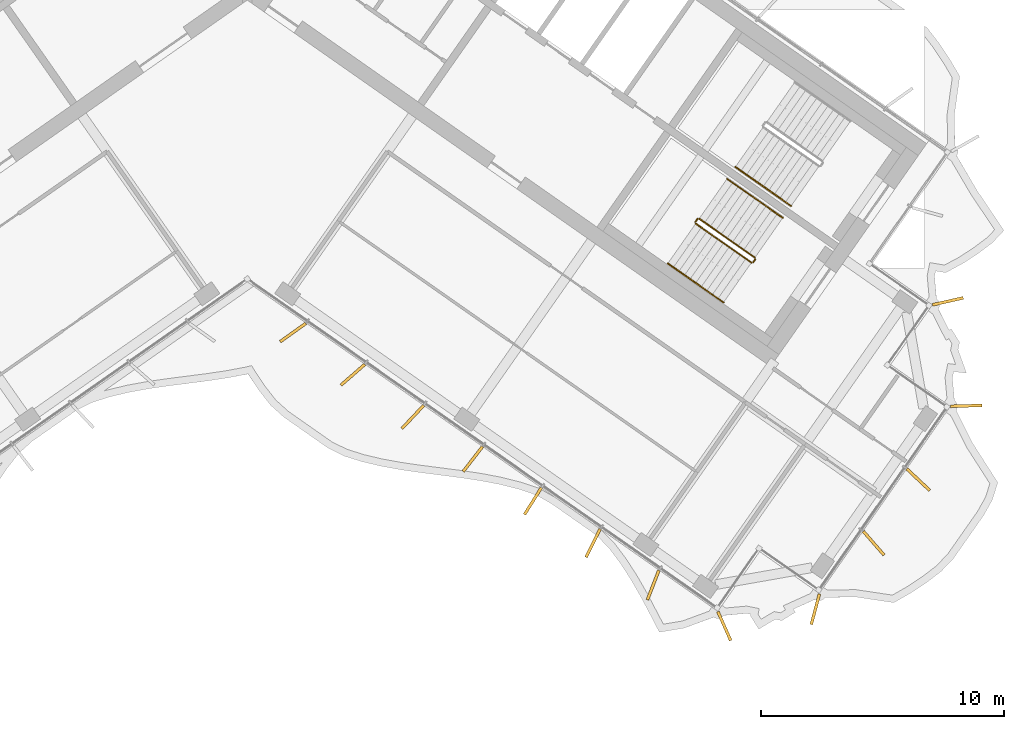
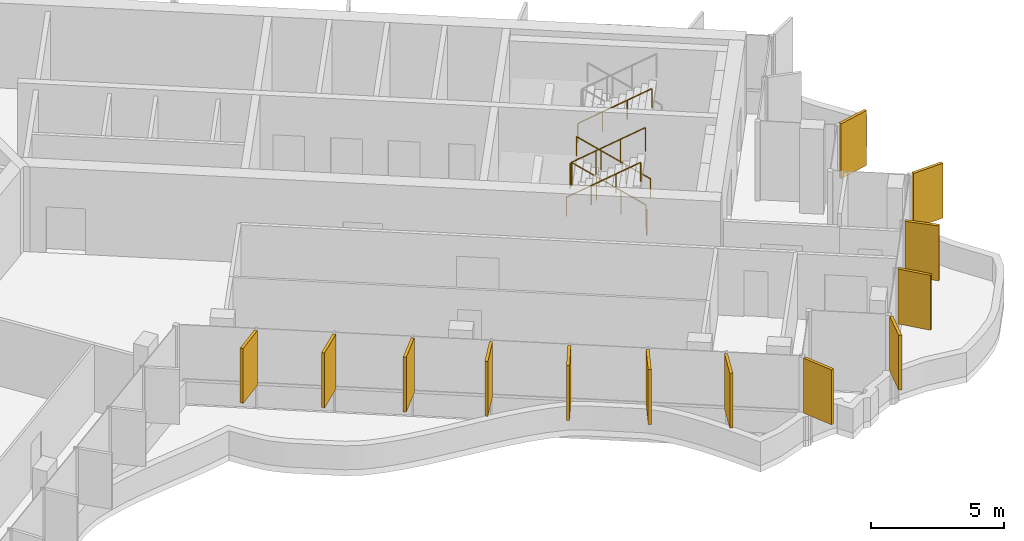
# One storey, part 15 of 17: 13 shading devices, 7 railings.
"""IFC4 building model written with IfcOpenShell, lengths in metres."""

import ifcopenshell
import ifcopenshell.guid

model = None  # the IFC model being written
_history = None  # IfcOwnerHistory: only IFC2X3 demands one
_inside = {}  # id of a spatial element -> (the spatial element, [elements in it])
_under = {}  # id of a project, library or spatial element -> (it, [spatial elements below it])
_declared = {}  # id of a project -> (the project, [libraries it declares])
_typed = {}  # id of a type object -> (the type object, [elements of that type])
_made_of = {}  # id of a material, layer set ... -> (it, [elements and type objects made of it])


def new_model(schema):
    """Start an empty IFC model of exactly this schema.

    Asked for "IFC4X3", IfcOpenShell would pick the latest addendum, in which some entities
    have other attributes; the version numbers below select the first issue.
    IFC2X3 requires an IfcOwnerHistory on every rooted entity: one is made here for all.
    """
    global model, _history
    if schema == "IFC4X3":
        model = ifcopenshell.file(schema_version=(4, 3, 0, 0))
    else:
        model = ifcopenshell.file(schema=schema)
    _inside.clear()
    _under.clear()
    _declared.clear()
    _typed.clear()
    _made_of.clear()
    _history = None
    if model.schema == "IFC2X3":
        org = make("IfcOrganization", Name="unknown")
        user = make(
            "IfcPersonAndOrganization",
            ThePerson=make("IfcPerson", FamilyName="unknown"),
            TheOrganization=org,
        )
        app = make(
            "IfcApplication",
            ApplicationDeveloper=org,
            Version="unknown",
            ApplicationFullName="unknown",
            ApplicationIdentifier="unknown",
        )
        _history = make(
            "IfcOwnerHistory",
            OwningUser=user,
            OwningApplication=app,
            ChangeAction="ADDED",
            CreationDate=0,
        )
    return model


def make(cls, **values):
    """One entity of the class cls with the attributes given. An attribute that is None is left unset."""
    return model.create_entity(
        cls, **{name: value for name, value in values.items() if value is not None}
    )


def rooted(cls, **values):
    """An entity with a GlobalId (a new one), such as an element, a storey or a relation."""
    return make(cls, GlobalId=ifcopenshell.guid.new(), OwnerHistory=_history, **values)


def si_unit(unit_type, name, prefix=None):
    """IfcSIUnit, for example si_unit("LENGTHUNIT", "METRE", prefix="MILLI")."""
    return make("IfcSIUnit", UnitType=unit_type, Prefix=prefix, Name=name)


def assignment(units):
    """IfcUnitAssignment: the units of a project."""
    return None if units is None else make("IfcUnitAssignment", Units=units)


def point(xyz):
    """IfcCartesianPoint."""
    return None if xyz is None else make("IfcCartesianPoint", Coordinates=xyz)


def direction(xyz):
    """IfcDirection."""
    return None if xyz is None else make("IfcDirection", DirectionRatios=xyz)


def frame(location, z_axis=None, x_axis=None):
    """IfcAxis2Placement3D, a coordinate frame: its origin and axes. An axis left out is left unset."""
    return make(
        "IfcAxis2Placement3D",
        Location=point(location),
        Axis=direction(z_axis),
        RefDirection=direction(x_axis),
    )


def frame_2d(location, x_axis=None):
    """IfcAxis2Placement2D, a coordinate frame in the plane: its origin and x axis."""
    return make(
        "IfcAxis2Placement2D", Location=point(location), RefDirection=direction(x_axis)
    )


def origin():
    """The frame at (0, 0, 0) with its axes left unset."""
    return frame((0.0, 0.0, 0.0))


def origin_2d():
    """The frame at (0, 0) in the plane with its x axis left unset."""
    return frame_2d((0.0, 0.0))


def place(relative_to, where):
    """IfcLocalPlacement: puts the frame where relative to a parent placement (None: the world)."""
    return make(
        "IfcLocalPlacement", PlacementRelTo=relative_to, RelativePlacement=where
    )


def context(
    kind, dimensions, precision=None, world=None, true_north=None, identifier=None
):
    """IfcGeometricRepresentationContext, for example the 3D "Model" context."""
    return make(
        "IfcGeometricRepresentationContext",
        ContextIdentifier=identifier,
        ContextType=kind,
        CoordinateSpaceDimension=dimensions,
        Precision=precision,
        WorldCoordinateSystem=world,
        TrueNorth=true_north,
    )


def subcontext(parent, identifier, kind, view, scale=None):
    """IfcGeometricRepresentationSubContext, for example "Body" below "Model"."""
    return make(
        "IfcGeometricRepresentationSubContext",
        ContextIdentifier=identifier,
        ContextType=kind,
        ParentContext=parent,
        TargetScale=scale,
        TargetView=view,
    )


def project(units=None, contexts=None):
    """IfcProject with its units and contexts."""
    return rooted(
        "IfcProject",
        Name="project",
        RepresentationContexts=contexts,
        UnitsInContext=assignment(units),
    )


def spatial(cls, under=None, at=None, **own):
    """A site, building, storey or space (cls), placed at a placement, below another one or the project."""
    s = rooted(cls, ObjectPlacement=at, **own)
    if under is not None:
        _under.setdefault(under.id(), (under, []))[1].append(s)
    return s


def profile(cls, at=None, kind="AREA", **sizes):
    """A parametric profile (cls). Its sizes go by their IFC names, for example OverallWidth=200.0."""
    return make(cls, ProfileType=kind, Position=at, **sizes)


def rectangle(**sizes):
    """IfcRectangleProfileDef."""
    return profile("IfcRectangleProfileDef", **sizes)


def circle(**sizes):
    """IfcCircleProfileDef."""
    return profile("IfcCircleProfileDef", **sizes)


def extrude(swept, where, along, depth):
    """IfcExtrudedAreaSolid: the profile swept, set in the frame where, extruded along a direction by depth."""
    return make(
        "IfcExtrudedAreaSolid",
        SweptArea=swept,
        Position=where,
        ExtrudedDirection=direction(along),
        Depth=depth,
    )


def shape(context_of_items, identifier, shape_type, items):
    """IfcShapeRepresentation: the items that make up one representation, for example the "Body"."""
    return make(
        "IfcShapeRepresentation",
        ContextOfItems=context_of_items,
        RepresentationIdentifier=identifier,
        RepresentationType=shape_type,
        Items=items,
    )


def material(Name=None, Category=None):
    """IfcMaterial."""
    return make("IfcMaterial", Name=Name, Category=Category)


def layer(
    of_material, thickness, ventilated=None, Name=None, Category=None, Priority=None
):
    """IfcMaterialLayer: one layer of a wall or slab, of a material (None: an air gap)."""
    return make(
        "IfcMaterialLayer",
        Material=of_material,
        LayerThickness=thickness,
        IsVentilated=ventilated,
        Name=Name,
        Category=Category,
        Priority=Priority,
    )


def layer_set(layers, Name=None):
    """IfcMaterialLayerSet."""
    return make("IfcMaterialLayerSet", MaterialLayers=layers, LayerSetName=Name)


def made_of(thing, what):
    """Note that an element or type object is made of a material, layer set ...; save() writes the relation."""
    if what is not None:
        _made_of.setdefault(what.id(), (what, []))[1].append(thing)
    return thing


def type_object(cls, material=None, **own):
    """A type object (cls), such as IfcWallType, which elements share."""
    return made_of(rooted(cls, **own), material)


def element(
    cls,
    number,
    at=None,
    inside=None,
    cuts=None,
    type_object=None,
    material=None,
    context=None,
    identifier="Body",
    shape_type=None,
    held_by="IfcProductDefinitionShape",
    body=None,
    shapes=None,
    **own,
):
    """One element of the class cls, such as IfcWall. Its Tag is "e" and its number.

    at: its placement. inside: the storey or other place that contains it. cuts: it is an
    opening in that element (IfcRelVoidsElement). A single representation is given by context,
    identifier, shape_type and body (its items); several are given by shapes. held_by: the class
    of the entity that holds the representations. save() writes the other relations.
    """
    e = rooted(cls, Tag="e%d" % number, ObjectPlacement=at, **own)
    if body is not None:
        shapes = [shape(context, identifier, shape_type, body)]
    if shapes is not None:
        e.Representation = make(held_by, Representations=shapes)
    if inside is not None:
        _inside.setdefault(inside.id(), (inside, []))[1].append(e)
    if cuts is not None:
        rooted(
            "IfcRelVoidsElement", RelatingBuildingElement=cuts, RelatedOpeningElement=e
        )
    if type_object is not None:
        _typed.setdefault(type_object.id(), (type_object, []))[1].append(e)
    return made_of(e, material)


def aggregate(whole, parts):
    """IfcRelAggregates: a whole, such as a stair, and the parts it consists of."""
    return rooted("IfcRelAggregates", RelatingObject=whole, RelatedObjects=parts)


def save(model, path):
    """Write the relations noted so far, then the file.

    IfcRelAggregates (storeys below a building ...), IfcRelContainedInSpatialStructure (elements
    in a storey), IfcRelDefinesByType, IfcRelAssociatesMaterial and IfcRelDeclares: one each for
    every whole, place, type object, material and project.
    """
    for whole, parts in _under.values():
        aggregate(whole, parts)
    for where, things in _inside.values():
        rooted(
            "IfcRelContainedInSpatialStructure",
            RelatedElements=things,
            RelatingStructure=where,
        )
    for kind, things in _typed.values():
        rooted("IfcRelDefinesByType", RelatedObjects=things, RelatingType=kind)
    for what, things in _made_of.values():
        rooted("IfcRelAssociatesMaterial", RelatedObjects=things, RelatingMaterial=what)
    for by, libraries in _declared.values():
        rooted("IfcRelDeclares", RelatingContext=by, RelatedDefinitions=libraries)
    model.write(path)


model = new_model("IFC4")

# Units and contexts
model_context = context("Model", 3, precision=1e-05, world=origin(), true_north=direction((0.0, 1.0)))
body_context = subcontext(model_context, "Body", "Model", "MODEL_VIEW")
ifc_project = project(units=[si_unit("LENGTHUNIT", "METRE"), si_unit("AREAUNIT", "SQUARE_METRE"), si_unit("VOLUMEUNIT", "CUBIC_METRE"), si_unit("PLANEANGLEUNIT", "RADIAN"), si_unit("MASSUNIT", "GRAM", prefix="KILO")], contexts=[model_context])

# Site, building, storey
site_placement = place(None, origin())
site = spatial("IfcSite", under=ifc_project, at=site_placement, CompositionType="ELEMENT")
building_placement = place(site_placement, origin())
building = spatial("IfcBuilding", under=site, at=building_placement, Name="Tel Ilan Convention Tower", CompositionType="ELEMENT")
storey_placement = place(building_placement, frame((0.0, 0.0, 287.800048828125)))
storey = spatial("IfcBuildingStorey", under=building, at=storey_placement, Name="L68", CompositionType="ELEMENT", Elevation=287.800048828125)

# Shading devices
ifc_material_1 = material(Name="Aluminium, bronze anodised", Category="aluminium")
ifc_layer = layer(ifc_material_1, 0.1201171875)
ifc_layer_set = layer_set([ifc_layer], Name="FIN BRONZE 1300x120")
shading_device_type = type_object("IfcShadingDeviceType", Name="FIN BRONZE 1300x120", PredefinedType="USERDEFINED", material=ifc_layer_set)
for number, where, z_axis, x_axis, name in (
    (1, (1.88134765625, -14.907470703125, 1.099853515625), (0.0, 0.0, 1.0), (-0.813552070258, -0.581492071294, 0.0), "FIN"),
    (2, (4.344970703125, -16.64794921875, 1.099853515625), (0.0, 0.0, 1.0), (-0.753435896329, -0.657521368568, 0.0), "FIN"),
    (3, (6.8134765625, -18.384033203125, 1.099853515625), (0.0, 0.0, 1.0), (-0.686241637865, -0.727373641577, 0.0), "FIN"),
    (4, (9.285888671875, -20.11572265625, 1.099853515625), (0.0, 0.0, 1.0), (-0.612600545196, -0.790392669516, 0.0), "FIN"),
    (5, (11.759033203125, -21.847412109375, 1.099853515625), (0.0, 0.0, 1.0), (-0.533204432798, -0.845986425922, 0.0), "FIN"),
    (6, (14.23193359375, -23.57861328125, 1.099853515625), (0.0, 0.0, 1.0), (-0.448799180206, -0.893632640321, 0.0), "FIN"),
    (7, (16.707763671875, -25.30419921875, 1.099853515625), (0.0, 0.0, 1.0), (-0.360177724803, -0.932883704733, 0.0), "FIN"),
    (8, (19.63671875, -26.989990234375, 1.099853515625), (0.0, 0.0, 1.0), (0.404964282034, -0.914332505315, 0.0), "FIN"),
    (9, (23.385498046875, -26.297607421875, 1.099853515625), (0.0, 0.0, 1.0), (-0.258819045103, -0.965925826289, 0.0), "FIN"),
    (10, (25.785400390625, -23.576171875, 1.099853515625), (0.0, 0.0, 1.0), (0.657521368568, -0.753435896329, 0.0), "FIN"),
    (11, (27.623291015625, -20.962646484375, 1.099853515625), (0.0, 0.0, 1.0), (0.727373641577, -0.686241637865, 0.0), "FIN"),
    (12, (29.598876953125, -17.9248046875, 1.099853515625), (0.0, 0.0, 1.0), (0.999576950082, 0.029084718749, 0.0), "FIN"),
    (13, (28.840576171875, -13.622802734375, 1.099853515625), (0.0, 0.0, 1.0), (0.975235208752, 0.221170268371, 0.0), "FIN"),
):
    element("IfcShadingDevice", number, at=place(storey_placement, frame(where, z_axis=z_axis, x_axis=x_axis)), inside=storey, type_object=shading_device_type, Name=name, ObjectType="FIN", PredefinedType="USERDEFINED", context=body_context, shape_type="SweptSolid", body=[
        extrude(rectangle(XDim=1.300048828125, YDim=0.1201171875, at=origin_2d()), origin(), (0.0, 0.0, 1.0), 2.52001953125),
    ])

# Railings
ifc_material_2 = material(Name="Stainless Steel Grade 316", Category="steel")
railing_type_1 = type_object("IfcRailingType", Name="Stainless Steel Stair Guard 1100 mm", PredefinedType="GUARDRAIL", material=ifc_material_2)
railing_1_placement = place(storey_placement, frame((20.89697265625, -11.824462890625, 0.17724609375)))
element("IfcRailing", 14, at=railing_1_placement, inside=storey, type_object=railing_type_1, Name="L68 S4 stair guard 1", PredefinedType="GUARDRAIL", context=body_context, shape_type="SweptSolid", body=[
    extrude(circle(Radius=0.02392578125, at=origin_2d()), frame((0.0, 0.0, 1.076171875), z_axis=(-0.692123088272, 0.484596665743, 0.534912798717), x_axis=(-0.573550118428, -0.819170471667, 0.0)), (0.0, 0.0, 1.0), 3.31396484375),
    extrude(circle(Radius=0.02099609375, at=origin_2d()), origin(), (0.0, 0.0, 1.0), 1.052001953125),
    extrude(circle(Radius=0.02099609375, at=origin_2d()), frame((-0.7646484375, 0.535400390625, 0.5908203125)), (0.0, 0.0, 1.0), 1.052001953125),
    extrude(circle(Radius=0.02099609375, at=origin_2d()), frame((-1.529052734375, 1.070556640625, 1.181884765625)), (0.0, 0.0, 1.0), 1.052001953125),
    extrude(circle(Radius=0.02099609375, at=origin_2d()), frame((-2.293701171875, 1.60595703125, 1.772705078125)), (0.0, 0.0, 1.0), 1.052001953125),
])
railing_2_placement = place(storey_placement, frame((18.53369140625, -10.230712890625, 1.949951171875)))
element("IfcRailing", 15, at=railing_2_placement, inside=storey, type_object=railing_type_1, Name="L68 S4 stair guard 2", PredefinedType="GUARDRAIL", context=body_context, shape_type="SweptSolid", body=[
    extrude(circle(Radius=0.02392578125, at=origin_2d()), frame((0.0, 0.0, 1.076171875), z_axis=(-0.573353020881, -0.819308436089, 0.0), x_axis=(0.819308436089, -0.573353020881, 0.0)), (0.0, 0.0, 1.0), 0.14990234375),
    extrude(circle(Radius=0.02099609375, at=origin_2d()), origin(), (0.0, 0.0, 1.0), 1.052001953125),
    extrude(circle(Radius=0.02099609375, at=origin_2d()), frame((-0.0859375, -0.122802734375, 0.0)), (0.0, 0.0, 1.0), 1.052001953125),
])
railing_3_placement = place(storey_placement, frame((18.4599609375, -10.423095703125, 2.127197265625)))
element("IfcRailing", 16, at=railing_3_placement, inside=storey, type_object=railing_type_1, Name="L68 S4 stair guard 3", PredefinedType="GUARDRAIL", context=body_context, shape_type="SweptSolid", body=[
    extrude(circle(Radius=0.02392578125, at=origin_2d()), frame((0.0, 0.0, 1.076171875), z_axis=(0.692098378994, -0.484653031975, 0.534893701956), x_axis=(0.573608623498, 0.819129505664, 0.0)), (0.0, 0.0, 1.0), 3.314208984375),
    extrude(circle(Radius=0.02099609375, at=origin_2d()), origin(), (0.0, 0.0, 1.0), 1.052001953125),
    extrude(circle(Radius=0.02099609375, at=origin_2d()), frame((0.7646484375, -0.535400390625, 0.5908203125)), (0.0, 0.0, 1.0), 1.052001953125),
    extrude(circle(Radius=0.02099609375, at=origin_2d()), frame((1.529052734375, -1.07080078125, 1.181884765625)), (0.0, 0.0, 1.0), 1.052001953125),
    extrude(circle(Radius=0.02099609375, at=origin_2d()), frame((2.293701171875, -1.606201171875, 1.772705078125)), (0.0, 0.0, 1.0), 1.052001953125),
])
railing_4_placement = place(storey_placement, frame((20.9091796875, -11.89404296875, 0.0)))
element("IfcRailing", 17, at=railing_4_placement, inside=storey, type_object=railing_type_1, Name="L68 S4 stair guard 4", PredefinedType="GUARDRAIL", context=body_context, shape_type="SweptSolid", body=[
    extrude(circle(Radius=0.02392578125, at=origin_2d()), frame((0.0, 0.0, 1.076171875), z_axis=(-0.573353020881, -0.819308436089, 0.0), x_axis=(0.819308436089, -0.573353020881, 0.0)), (0.0, 0.0, 1.0), 0.14990234375),
    extrude(circle(Radius=0.02099609375, at=origin_2d()), origin(), (0.0, 0.0, 1.0), 1.052001953125),
    extrude(circle(Radius=0.02099609375, at=origin_2d()), frame((-0.0859375, -0.122802734375, 0.0)), (0.0, 0.0, 1.0), 1.052001953125),
])
ifc_material_3 = material(Name="Stainless Steel Grade 316", Category="steel")
railing_type_2 = type_object("IfcRailingType", Name="Stainless Steel Stair Handrail 900 mm", PredefinedType="HANDRAIL", material=ifc_material_3)
railing_5_placement = place(storey_placement, frame((20.0947265625, -8.088623046875, 2.127197265625)))
element("IfcRailing", 18, at=railing_5_placement, inside=storey, type_object=railing_type_2, Name="L68 S3 stair handrail 2", PredefinedType="HANDRAIL", context=body_context, shape_type="SweptSolid", body=[
    extrude(circle(Radius=0.02392578125, at=origin_2d()), frame((0.0, 0.0, 0.8759765625), z_axis=(0.692084706163, -0.484621375041, 0.534940073605), x_axis=(0.573591086599, 0.819141785879, 0.0)), (0.0, 0.0, 1.0), 3.313720703125),
    extrude(circle(Radius=0.02099609375, at=origin_2d()), origin(), (0.0, 0.0, 1.0), 0.851806640625),
    extrude(circle(Radius=0.02099609375, at=origin_2d()), frame((0.764404296875, -0.535400390625, 0.5908203125)), (0.0, 0.0, 1.0), 0.851806640625),
    extrude(circle(Radius=0.02099609375, at=origin_2d()), frame((1.529052734375, -1.070556640625, 1.181884765625)), (0.0, 0.0, 1.0), 0.851806640625),
    extrude(circle(Radius=0.02099609375, at=origin_2d()), frame((2.29345703125, -1.60595703125, 1.772705078125)), (0.0, 0.0, 1.0), 0.851806640625),
])
railing_6_placement = place(storey_placement, frame((22.044189453125, -10.18603515625, 0.17724609375)))
element("IfcRailing", 19, at=railing_6_placement, inside=storey, type_object=railing_type_2, Name="L68 S4 stair handrail 1", PredefinedType="HANDRAIL", context=body_context, shape_type="SweptSolid", body=[
    extrude(circle(Radius=0.02392578125, at=origin_2d()), frame((0.0, 0.0, 0.8759765625), z_axis=(-0.692123088272, 0.484596665743, 0.534912798717), x_axis=(-0.573550118428, -0.819170471667, 0.0)), (0.0, 0.0, 1.0), 3.31396484375),
    extrude(circle(Radius=0.02099609375, at=origin_2d()), origin(), (0.0, 0.0, 1.0), 0.851806640625),
    extrude(circle(Radius=0.02099609375, at=origin_2d()), frame((-0.7646484375, 0.535400390625, 0.5908203125)), (0.0, 0.0, 1.0), 0.851806640625),
    extrude(circle(Radius=0.02099609375, at=origin_2d()), frame((-1.529052734375, 1.070556640625, 1.181884765625)), (0.0, 0.0, 1.0), 0.851806640625),
    extrude(circle(Radius=0.02099609375, at=origin_2d()), frame((-2.293701171875, 1.60595703125, 1.772705078125)), (0.0, 0.0, 1.0), 0.851806640625),
])
railing_7_placement = place(storey_placement, frame((17.312744140625, -12.0615234375, 2.127197265625)))
element("IfcRailing", 20, at=railing_7_placement, inside=storey, type_object=railing_type_2, Name="L68 S4 stair handrail 2", PredefinedType="HANDRAIL", context=body_context, shape_type="SweptSolid", body=[
    extrude(circle(Radius=0.02392578125, at=origin_2d()), frame((0.0, 0.0, 0.8759765625), z_axis=(0.692123088272, -0.484596665743, 0.534912798717), x_axis=(0.573550118428, 0.819170471667, 0.0)), (0.0, 0.0, 1.0), 3.31396484375),
    extrude(circle(Radius=0.02099609375, at=origin_2d()), origin(), (0.0, 0.0, 1.0), 0.851806640625),
    extrude(circle(Radius=0.02099609375, at=origin_2d()), frame((0.7646484375, -0.535400390625, 0.5908203125)), (0.0, 0.0, 1.0), 0.851806640625),
    extrude(circle(Radius=0.02099609375, at=origin_2d()), frame((1.529052734375, -1.070556640625, 1.181884765625)), (0.0, 0.0, 1.0), 0.851806640625),
    extrude(circle(Radius=0.02099609375, at=origin_2d()), frame((2.293701171875, -1.60595703125, 1.772705078125)), (0.0, 0.0, 1.0), 0.851806640625),
])

save(model, "model.ifc")
